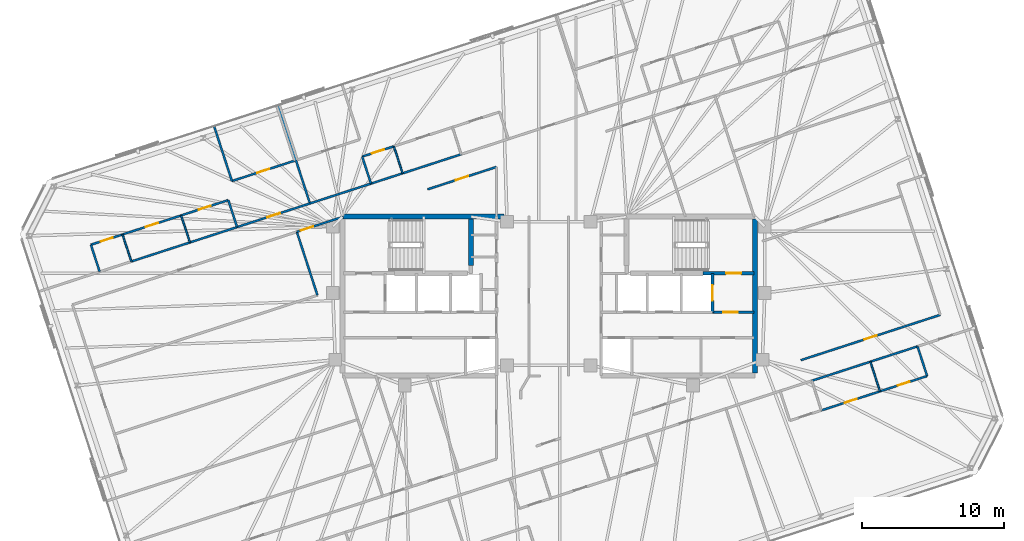
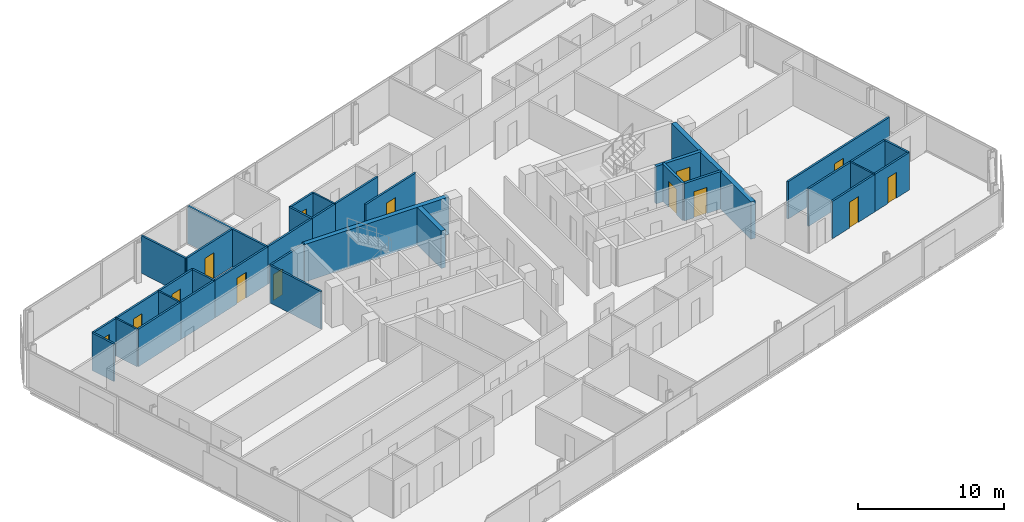
# One storey, part 16 of 20: 35 walls, 14 doors, 14 openings.
"""IFC4 building model written with IfcOpenShell, lengths in metres."""

from ifc_helpers import new_model, si_unit, direction, frame, frame_2d, origin, place, context, subcontext, project, spatial, rectangle, extrude, material, layer, layer_set, type_object, element, fill, save


model = new_model("IFC4")

# Units and contexts
model_context = context("Model", 3, precision=1e-05, world=origin(), true_north=direction((0.0, 1.0)))
body_context = subcontext(model_context, "Body", "Model", "MODEL_VIEW")
ifc_project = project(units=[si_unit("LENGTHUNIT", "METRE"), si_unit("AREAUNIT", "SQUARE_METRE"), si_unit("VOLUMEUNIT", "CUBIC_METRE"), si_unit("PLANEANGLEUNIT", "RADIAN"), si_unit("MASSUNIT", "GRAM", prefix="KILO")], contexts=[model_context])

# Site, building, storey
site_placement = place(None, origin())
site = spatial("IfcSite", under=ifc_project, at=site_placement, CompositionType="ELEMENT")
building_placement = place(site_placement, origin())
building = spatial("IfcBuilding", under=site, at=building_placement, Name="Menara Jurai Vektor", CompositionType="ELEMENT")
storey_placement = place(building_placement, frame((0.0, 0.0, 237.699951171875)))
storey = spatial("IfcBuildingStorey", under=building, at=storey_placement, Name="L63", CompositionType="ELEMENT", Elevation=237.699951171875)

# Wall, opening, door
ifc_material_1 = material(Name="Concrete C40/50", Category="concrete")
ifc_layer_1 = layer(ifc_material_1, 0.25)
ifc_layer_set_1 = layer_set([ifc_layer_1], Name="Concrete C40/50")
wall_type_1 = type_object("IfcWallType", Name="INT-WALL-CORE-250", PredefinedType="STANDARD", material=ifc_layer_set_1)
wall_1_placement = place(storey_placement, frame((10.89990234375, 1.60009765625, 0.0), z_axis=(0.0, 0.0, 1.0), x_axis=(1.0, 0.0, 0.0)))
wall_1 = element("IfcWall", 1, at=wall_1_placement, inside=storey, type_object=wall_type_1, Name="Interior Wall IW-250 L63", PredefinedType="STANDARD", context=body_context, shape_type="SweptSolid", body=[
    extrude(rectangle(XDim=3.60009765625, YDim=0.25, at=frame_2d((1.800048828125, 0.0))), origin(), (0.0, 0.0, 1.0), 3.125),
])
opening_1_placement = place(wall_1_placement, frame((1.6201171875, 0.0, 0.0)))
opening_1 = element("IfcOpeningElement", 2, at=opening_1_placement, cuts=wall_1, Name="Opening D-L63-ST2", PredefinedType="OPENING", context=body_context, shape_type="SweptSolid", body=[
    extrude(rectangle(XDim=1.050048828125, YDim=2.14990234375, at=frame_2d((0.52490234375, 1.074951171875))), frame((0.0, 0.135009765625, 0.0), z_axis=(0.0, -1.0, 0.0), x_axis=(1.0, 0.0, 0.0)), (0.0, 0.0, 1.0), 0.27001953125),
])
ifc_material_2 = material(Name="Fire-Rated Steel Door", Category="steel")
door_type_1 = type_object("IfcDoorType", Name="DR-STAIR-1050", OperationType="NOTDEFINED", PredefinedType="DOOR", material=ifc_material_2)
door_1_placement = place(opening_1_placement, origin())
door_1 = element("IfcDoor", 3, at=door_1_placement, inside=storey, type_object=door_type_1, Name="Exit Stair ST2 Door L63", OperationType="SINGLE_SWING_LEFT", OverallHeight=2.14990234375, OverallWidth=1.050048828125, PredefinedType="DOOR", context=body_context, shape_type="SweptSolid", body=[
    extrude(rectangle(XDim=1.050048828125, YDim=2.14990234375, at=frame_2d((0.52490234375, 1.074951171875))), frame((0.0, 0.02490234375, 0.0), z_axis=(0.0, -1.0, 0.0), x_axis=(1.0, 0.0, 0.0)), (0.0, 0.0, 1.0), 0.050048828125),
])
fill(opening_1, door_1)

wall_2_placement = place(storey_placement, frame((11.550048828125, -1.14990234375, 0.0), z_axis=(0.0, 0.0, 1.0), x_axis=(0.0, 1.0, 0.0)))
wall_2 = element("IfcWall", 4, at=wall_2_placement, inside=storey, type_object=wall_type_1, Name="Interior Wall IW-250 L63", PredefinedType="STANDARD", context=body_context, shape_type="SweptSolid", body=[
    extrude(rectangle(XDim=2.75, YDim=0.199951171875, at=frame_2d((1.375, 0.0))), origin(), (0.0, 0.0, 1.0), 3.125),
])
opening_2_placement = place(wall_2_placement, frame((0.824951171875, 0.0, 0.0)))
opening_2 = element("IfcOpeningElement", 5, at=opening_2_placement, cuts=wall_2, Name="Opening LD-L63-FL2", PredefinedType="OPENING", context=body_context, shape_type="SweptSolid", body=[
    extrude(rectangle(XDim=1.10009765625, YDim=2.14990234375, at=frame_2d((0.550048828125, 1.074951171875))), frame((0.0, 0.10986328125, 0.0), z_axis=(0.0, -1.0, 0.0), x_axis=(1.0, 0.0, 0.0)), (0.0, 0.0, 1.0), 0.219970703125),
])
ifc_material_3 = material(Name="Stainless Steel Sliding Lift Landing Door", Category="steel")
door_type_2 = type_object("IfcDoorType", Name="DR-LIFT-FIRE-1100", OperationType="NOTDEFINED", PredefinedType="DOOR", material=ifc_material_3)
door_2_placement = place(opening_2_placement, origin())
door_2 = element("IfcDoor", 6, at=door_2_placement, inside=storey, type_object=door_type_2, Name="Lift Landing Door FL2 L63", OperationType="SLIDING_TO_RIGHT", OverallHeight=2.14990234375, OverallWidth=1.10009765625, PredefinedType="DOOR", context=body_context, shape_type="SweptSolid", body=[
    extrude(rectangle(XDim=1.10009765625, YDim=2.14990234375, at=frame_2d((0.550048828125, 1.074951171875))), frame((0.0, 0.02490234375, 0.0), z_axis=(0.0, -1.0, 0.0), x_axis=(1.0, 0.0, 0.0)), (0.0, 0.0, 1.0), 0.050048828125),
])
fill(opening_2, door_2)

wall_3_placement = place(storey_placement, frame((11.550048828125, -1.14990234375, 0.0), z_axis=(0.0, 0.0, 1.0), x_axis=(1.0, 0.0, 0.0)))
wall_3 = element("IfcWall", 7, at=wall_3_placement, inside=storey, type_object=wall_type_1, Name="Interior Wall IW-250 L63", PredefinedType="STANDARD", context=body_context, shape_type="SweptSolid", body=[
    extrude(rectangle(XDim=2.949951171875, YDim=0.199951171875, at=frame_2d((1.47509765625, 0.0))), origin(), (0.0, 0.0, 1.0), 3.125),
])
opening_3_placement = place(wall_3_placement, frame((0.75, 0.0, 0.0)))
opening_3 = element("IfcOpeningElement", 8, at=opening_3_placement, cuts=wall_3, Name="Opening D-L63-FFE", PredefinedType="OPENING", context=body_context, shape_type="SweptSolid", body=[
    extrude(rectangle(XDim=1.050048828125, YDim=2.179931640625, at=frame_2d((0.52490234375, 1.08984375))), frame((0.0, 0.10986328125, 0.0), z_axis=(0.0, -1.0, 0.0), x_axis=(1.0, 0.0, 0.0)), (0.0, 0.0, 1.0), 0.219970703125),
])
ifc_material_4 = material(Name="Fire-Rated Timber Door", Category="wood")
door_type_3 = type_object("IfcDoorType", Name="DR-LOBBY-1050", OperationType="NOTDEFINED", PredefinedType="DOOR", material=ifc_material_4)
door_3_placement = place(opening_3_placement, origin())
door_3 = element("IfcDoor", 9, at=door_3_placement, inside=storey, type_object=door_type_3, Name="Fire Lift Lobby Door E L63", OperationType="SINGLE_SWING_LEFT", OverallHeight=2.179931640625, OverallWidth=1.050048828125, PredefinedType="DOOR", context=body_context, shape_type="SweptSolid", body=[
    extrude(rectangle(XDim=1.050048828125, YDim=2.179931640625, at=frame_2d((0.52490234375, 1.08984375))), frame((0.0, 0.02490234375, 0.0), z_axis=(0.0, -1.0, 0.0), x_axis=(1.0, 0.0, 0.0)), (0.0, 0.0, 1.0), 0.050048828125),
])
fill(opening_3, door_3)

ifc_material_5 = material(Name="Gypsum Fireboard Partition", Category="gypsum")
ifc_layer_2 = layer(ifc_material_5, 0.14990234375)
ifc_layer_set_2 = layer_set([ifc_layer_2], Name="Gypsum Fireboard Partition")
wall_type_2 = type_object("IfcWallType", Name="INT-WALL-CORR-150", PredefinedType="PARTITIONING", material=ifc_layer_set_2)
wall_4_placement = place(storey_placement, frame((-22.009765625, 4.86376953125, 0.0), z_axis=(0.0, 0.0, 1.0), x_axis=(0.951061595649, 0.309001361293, 0.0)))
wall_4 = element("IfcWall", 10, at=wall_4_placement, inside=storey, type_object=wall_type_2, Name="Interior Wall IW-150 L63", PredefinedType="PARTITIONING", context=body_context, shape_type="SweptSolid", body=[
    extrude(rectangle(XDim=5.408935546875, YDim=0.14990234375, at=frame_2d((2.70458984375, 0.0))), origin(), (0.0, 0.0, 1.0), 3.125),
])
opening_4_placement = place(wall_4_placement, frame((2.2294921875, 0.0, 0.0)))
opening_4 = element("IfcOpeningElement", 11, at=opening_4_placement, cuts=wall_4, Name="Opening D63-10", PredefinedType="OPENING", context=body_context, shape_type="SweptSolid", body=[
    extrude(rectangle(XDim=0.949951171875, YDim=2.14990234375, at=frame_2d((0.47509765625, 1.074951171875))), frame((0.0, 0.0849609375, 0.0), z_axis=(0.0, -1.0, 0.0), x_axis=(1.0, 0.0, 0.0)), (0.0, 0.0, 1.0), 0.169921875),
])
ifc_material_6 = material(Name="Solid Core Timber Fire Door", Category="wood")
door_type_4 = type_object("IfcDoorType", Name="DR-ENTRY-950", OperationType="NOTDEFINED", PredefinedType="DOOR", material=ifc_material_6)
door_4_placement = place(opening_4_placement, origin())
door_4 = element("IfcDoor", 12, at=door_4_placement, inside=storey, type_object=door_type_4, Name="Interior Door D63-10", OperationType="SINGLE_SWING_RIGHT", OverallHeight=2.14990234375, OverallWidth=0.949951171875, PredefinedType="DOOR", context=body_context, shape_type="SweptSolid", body=[
    extrude(rectangle(XDim=0.949951171875, YDim=2.14990234375, at=frame_2d((0.47509765625, 1.074951171875))), frame((0.0, 0.02490234375, 0.0), z_axis=(0.0, -1.0, 0.0), x_axis=(1.0, 0.0, 0.0)), (0.0, 0.0, 1.0), 0.050048828125),
])
fill(opening_4, door_4)

# Walls
wall_5_placement = place(storey_placement, frame((-29.4755859375, 2.43798828125, 0.0), z_axis=(0.0, 0.0, 1.0), x_axis=(0.951057987102, 0.309012467661, 0.0)))
element("IfcWall", 13, at=wall_5_placement, inside=storey, type_object=wall_type_2, Name="Interior Wall IW-150 L63", PredefinedType="PARTITIONING", context=body_context, shape_type="SweptSolid", body=[
    extrude(rectangle(XDim=4.35009765625, YDim=0.14990234375, at=frame_2d((2.175048828125, 0.0))), origin(), (0.0, 0.0, 1.0), 3.125),
])
wall_6_placement = place(storey_placement, frame((-25.33837890625, 3.7822265625, 0.0), z_axis=(0.0, 0.0, 1.0), x_axis=(0.951055596592, 0.309019824916, 0.0)))
element("IfcWall", 14, at=wall_6_placement, inside=storey, type_object=wall_type_2, Name="Interior Wall IW-150 L63", PredefinedType="PARTITIONING", context=body_context, shape_type="SweptSolid", body=[
    extrude(rectangle(XDim=3.5, YDim=0.14990234375, at=frame_2d((1.75, 0.0))), origin(), (0.0, 0.0, 1.0), 3.125),
])
wall_7_placement = place(storey_placement, frame((-16.865478515625, 6.53515625, 0.0), z_axis=(0.0, 0.0, 1.0), x_axis=(0.951049118272, 0.309039762222, 0.0)))
element("IfcWall", 15, at=wall_7_placement, inside=storey, type_object=wall_type_2, Name="Interior Wall IW-150 L63", PredefinedType="PARTITIONING", context=body_context, shape_type="SweptSolid", body=[
    extrude(rectangle(XDim=4.52978515625, YDim=0.14990234375, at=frame_2d((2.264892578125, 0.0))), origin(), (0.0, 0.0, 1.0), 3.125),
])
wall_8_placement = place(storey_placement, frame((-12.557373046875, 7.93505859375, 0.0), z_axis=(0.0, 0.0, 1.0), x_axis=(0.951045519245, 0.309050837767, 0.0)))
element("IfcWall", 16, at=wall_8_placement, inside=storey, type_object=wall_type_2, Name="Interior Wall IW-150 L63", PredefinedType="PARTITIONING", context=body_context, shape_type="SweptSolid", body=[
    extrude(rectangle(XDim=2.35009765625, YDim=0.14990234375, at=frame_2d((1.175048828125, 0.0))), origin(), (0.0, 0.0, 1.0), 3.125),
])
for number, where, z_axis, x_axis, name in (
    (17, (-10.322265625, 8.661376953125, 0.0), (0.0, 0.0, 1.0), (0.951052627573, 0.309028962374, 0.0), "Interior Wall IW-150 L63"),
    (18, (18.56396484375, -5.983154296875, 0.0), (0.0, 0.0, 1.0), (0.951052627573, 0.309028962374, 0.0), "Interior Wall IW-150 L63"),
):
    element("IfcWall", number, at=place(storey_placement, frame(where, z_axis=z_axis, x_axis=x_axis)), inside=storey, type_object=wall_type_2, Name=name, PredefinedType="PARTITIONING", context=body_context, shape_type="SweptSolid", body=[
        extrude(rectangle(XDim=4.349853515625, YDim=0.14990234375, at=frame_2d((2.1748046875, 0.0))), origin(), (0.0, 0.0, 1.0), 3.125),
    ])
wall_9_placement = place(storey_placement, frame((22.700927734375, -4.638916015625, 0.0), z_axis=(0.0, 0.0, 1.0), x_axis=(0.951062257173, 0.308999325213, 0.0)))
element("IfcWall", 19, at=wall_9_placement, inside=storey, type_object=wall_type_2, Name="Interior Wall IW-150 L63", PredefinedType="PARTITIONING", context=body_context, shape_type="SweptSolid", body=[
    extrude(rectangle(XDim=3.500244140625, YDim=0.14990234375, at=frame_2d((1.75, 0.0))), origin(), (0.0, 0.0, 1.0), 3.125),
])

# Wall, opening, door
wall_10_placement = place(storey_placement, frame((-17.79150390625, 4.531005859375, 0.0), z_axis=(0.0, 0.0, 1.0), x_axis=(0.951047546178, 0.309044600193, 0.0)))
wall_10 = element("IfcWall", 20, at=wall_10_placement, inside=storey, type_object=wall_type_2, Name="Interior Wall IW-150 L63", PredefinedType="PARTITIONING", context=body_context, shape_type="SweptSolid", body=[
    extrude(rectangle(XDim=3.4609375, YDim=0.14990234375, at=frame_2d((1.73046875, 0.0))), origin(), (0.0, 0.0, 1.0), 3.125),
])
opening_5_placement = place(wall_10_placement, frame((0.301513671875, 0.0, 0.0)))
opening_5 = element("IfcOpeningElement", 21, at=opening_5_placement, cuts=wall_10, Name="Opening D63-51", PredefinedType="OPENING", context=body_context, shape_type="SweptSolid", body=[
    extrude(rectangle(XDim=0.919921875, YDim=2.14990234375, at=frame_2d((0.4599609375, 1.074951171875))), frame((0.0, 0.0849609375, 0.0), z_axis=(0.0, -1.0, 0.0), x_axis=(1.0, 0.0, 0.0)), (0.0, 0.0, 1.0), 0.169921875),
])
door_5_placement = place(opening_5_placement, origin())
door_5 = element("IfcDoor", 22, at=door_5_placement, inside=storey, type_object=door_type_4, Name="Interior Door D63-51", OperationType="SINGLE_SWING_LEFT", OverallHeight=2.14990234375, OverallWidth=0.919921875, PredefinedType="DOOR", context=body_context, shape_type="SweptSolid", body=[
    extrude(rectangle(XDim=0.919921875, YDim=2.14990234375, at=frame_2d((0.4599609375, 1.074951171875))), frame((0.0, 0.02490234375, 0.0), z_axis=(0.0, -1.0, 0.0), x_axis=(1.0, 0.0, 0.0)), (0.0, 0.0, 1.0), 0.050048828125),
])
fill(opening_5, door_5)

wall_11_placement = place(storey_placement, frame((-8.5595703125, 7.530517578125, 0.0), z_axis=(0.0, 0.0, 1.0), x_axis=(0.951054430751, 0.309023412946, 0.0)))
wall_11 = element("IfcWall", 23, at=wall_11_placement, inside=storey, type_object=wall_type_2, Name="Interior Wall IW-150 L63", PredefinedType="PARTITIONING", context=body_context, shape_type="SweptSolid", body=[
    extrude(rectangle(XDim=5.10986328125, YDim=0.14990234375, at=frame_2d((2.554931640625, 0.0))), origin(), (0.0, 0.0, 1.0), 3.125),
])
opening_6_placement = place(wall_11_placement, frame((2.094970703125, 0.0, 0.0)))
opening_6 = element("IfcOpeningElement", 24, at=opening_6_placement, cuts=wall_11, Name="Opening D63-52", PredefinedType="OPENING", context=body_context, shape_type="SweptSolid", body=[
    extrude(rectangle(XDim=0.919921875, YDim=2.14990234375, at=frame_2d((0.4599609375, 1.074951171875))), frame((0.0, 0.0849609375, 0.0), z_axis=(0.0, -1.0, 0.0), x_axis=(1.0, 0.0, 0.0)), (0.0, 0.0, 1.0), 0.169921875),
])
door_6_placement = place(opening_6_placement, origin())
door_6 = element("IfcDoor", 25, at=door_6_placement, inside=storey, type_object=door_type_4, Name="Interior Door D63-52", OperationType="SINGLE_SWING_RIGHT", OverallHeight=2.14990234375, OverallWidth=0.919921875, PredefinedType="DOOR", context=body_context, shape_type="SweptSolid", body=[
    extrude(rectangle(XDim=0.919921875, YDim=2.14990234375, at=frame_2d((0.4599609375, 1.074951171875))), frame((0.0, 0.02490234375, 0.0), z_axis=(0.0, -1.0, 0.0), x_axis=(1.0, 0.0, 0.0)), (0.0, 0.0, 1.0), 0.050048828125),
])
fill(opening_6, door_6)

wall_12_placement = place(storey_placement, frame((17.791259765625, -4.53076171875, 0.0), z_axis=(0.0, 0.0, 1.0), x_axis=(0.951056769902, 0.309016213852, 0.0)))
wall_12 = element("IfcWall", 26, at=wall_12_placement, inside=storey, type_object=wall_type_2, Name="Interior Wall IW-150 L63", PredefinedType="PARTITIONING", context=body_context, shape_type="SweptSolid", body=[
    extrude(rectangle(XDim=10.35205078125, YDim=0.14990234375, at=frame_2d((5.176025390625, 0.0))), origin(), (0.0, 0.0, 1.0), 3.125),
])
opening_7_placement = place(wall_12_placement, frame((4.716064453125, 0.0, 0.0)))
opening_7 = element("IfcOpeningElement", 27, at=opening_7_placement, cuts=wall_12, Name="Opening D63-53", PredefinedType="OPENING", context=body_context, shape_type="SweptSolid", body=[
    extrude(rectangle(XDim=0.919921875, YDim=2.14990234375, at=frame_2d((0.4599609375, 1.074951171875))), frame((0.0, 0.0849609375, 0.0), z_axis=(0.0, -1.0, 0.0), x_axis=(1.0, 0.0, 0.0)), (0.0, 0.0, 1.0), 0.169921875),
])
door_7_placement = place(opening_7_placement, origin())
door_7 = element("IfcDoor", 28, at=door_7_placement, inside=storey, type_object=door_type_4, Name="Interior Door D63-53", OperationType="SINGLE_SWING_LEFT", OverallHeight=2.14990234375, OverallWidth=0.919921875, PredefinedType="DOOR", context=body_context, shape_type="SweptSolid", body=[
    extrude(rectangle(XDim=0.919921875, YDim=2.14990234375, at=frame_2d((0.4599609375, 1.074951171875))), frame((0.0, 0.02490234375, 0.0), z_axis=(0.0, -1.0, 0.0), x_axis=(1.0, 0.0, 0.0)), (0.0, 0.0, 1.0), 0.050048828125),
])
fill(opening_7, door_7)

# Wall
wall_13_placement = place(storey_placement, frame((-31.710693359375, 1.7119140625, 0.0), z_axis=(0.0, 0.0, 1.0), x_axis=(-0.308948390121, 0.951078804433, 0.0)))
element("IfcWall", 29, at=wall_13_placement, inside=storey, type_object=wall_type_2, Name="Interior Wall IW-150 L63", PredefinedType="PARTITIONING", context=body_context, shape_type="SweptSolid", body=[
    extrude(rectangle(XDim=2.0048828125, YDim=0.14990234375, at=frame_2d((1.00244140625, 0.0))), origin(), (0.0, 0.0, 1.0), 3.125),
])

# Wall, opening, door
wall_14_placement = place(storey_placement, frame((-32.330078125, 3.61865234375, 0.0), z_axis=(0.0, 0.0, 1.0), x_axis=(0.951066131077, 0.308987401554, 0.0)))
wall_14 = element("IfcWall", 30, at=wall_14_placement, inside=storey, type_object=wall_type_2, Name="Interior Wall IW-150 L63", PredefinedType="PARTITIONING", context=body_context, shape_type="SweptSolid", body=[
    extrude(rectangle(XDim=2.349853515625, YDim=0.14990234375, at=frame_2d((1.1748046875, 0.0))), origin(), (0.0, 0.0, 1.0), 3.125),
])
opening_8_placement = place(wall_14_placement, frame((0.735107421875, 0.0, 0.0)))
opening_8 = element("IfcOpeningElement", 31, at=opening_8_placement, cuts=wall_14, Name="Opening D63-11", PredefinedType="OPENING", context=body_context, shape_type="SweptSolid", body=[
    extrude(rectangle(XDim=0.8798828125, YDim=2.14990234375, at=frame_2d((0.43994140625, 1.074951171875))), frame((0.0, 0.0849609375, 0.0), z_axis=(0.0, -1.0, 0.0), x_axis=(1.0, 0.0, 0.0)), (0.0, 0.0, 1.0), 0.169921875),
])
ifc_material_7 = material(Name="Moisture-Resistant Timber Door", Category="wood")
door_type_5 = type_object("IfcDoorType", Name="DR-BATH-880", OperationType="NOTDEFINED", PredefinedType="DOOR", material=ifc_material_7)
door_8_placement = place(opening_8_placement, origin())
door_8 = element("IfcDoor", 32, at=door_8_placement, inside=storey, type_object=door_type_5, Name="Interior Door D63-11", OperationType="SINGLE_SWING_LEFT", OverallHeight=2.14990234375, OverallWidth=0.8798828125, PredefinedType="DOOR", context=body_context, shape_type="SweptSolid", body=[
    extrude(rectangle(XDim=0.8798828125, YDim=2.14990234375, at=frame_2d((0.43994140625, 1.074951171875))), frame((0.0, 0.02490234375, 0.0), z_axis=(0.0, -1.0, 0.0), x_axis=(1.0, 0.0, 0.0)), (0.0, 0.0, 1.0), 0.050048828125),
])
fill(opening_8, door_8)

wall_15_placement = place(storey_placement, frame((-30.09521484375, 4.3447265625, 0.0), z_axis=(0.0, 0.0, 1.0), x_axis=(0.951041492154, 0.309063230101, 0.0)))
wall_15 = element("IfcWall", 33, at=wall_15_placement, inside=storey, type_object=wall_type_2, Name="Interior Wall IW-150 L63", PredefinedType="PARTITIONING", context=body_context, shape_type="SweptSolid", body=[
    extrude(rectangle(XDim=4.35009765625, YDim=0.14990234375, at=frame_2d((2.175048828125, 0.0))), origin(), (0.0, 0.0, 1.0), 3.125),
])
opening_9_placement = place(wall_15_placement, frame((1.72509765625, 0.0, 0.0)))
opening_9 = element("IfcOpeningElement", 34, at=opening_9_placement, cuts=wall_15, Name="Opening D63-12", PredefinedType="OPENING", context=body_context, shape_type="SweptSolid", body=[
    extrude(rectangle(XDim=0.89990234375, YDim=2.14990234375, at=frame_2d((0.449951171875, 1.074951171875))), frame((0.0, 0.0849609375, 0.0), z_axis=(0.0, -1.0, 0.0), x_axis=(1.0, 0.0, 0.0)), (0.0, 0.0, 1.0), 0.169921875),
])
ifc_material_8 = material(Name="Acoustic Timber Interior Door", Category="wood")
door_type_6 = type_object("IfcDoorType", Name="DR-ROOM-900", OperationType="NOTDEFINED", PredefinedType="DOOR", material=ifc_material_8)
door_9_placement = place(opening_9_placement, origin())
door_9 = element("IfcDoor", 35, at=door_9_placement, inside=storey, type_object=door_type_6, Name="Interior Door D63-12", OperationType="SINGLE_SWING_RIGHT", OverallHeight=2.14990234375, OverallWidth=0.89990234375, PredefinedType="DOOR", context=body_context, shape_type="SweptSolid", body=[
    extrude(rectangle(XDim=0.89990234375, YDim=2.14990234375, at=frame_2d((0.449951171875, 1.074951171875))), frame((0.0, 0.02490234375, 0.0), z_axis=(0.0, -1.0, 0.0), x_axis=(1.0, 0.0, 0.0)), (0.0, 0.0, 1.0), 0.050048828125),
])
fill(opening_9, door_9)

wall_16_placement = place(storey_placement, frame((-25.9580078125, 5.689208984375, 0.0), z_axis=(0.0, 0.0, 1.0), x_axis=(0.951076095932, 0.308956727951, 0.0)))
wall_16 = element("IfcWall", 36, at=wall_16_placement, inside=storey, type_object=wall_type_2, Name="Interior Wall IW-150 L63", PredefinedType="PARTITIONING", context=body_context, shape_type="SweptSolid", body=[
    extrude(rectangle(XDim=3.499755859375, YDim=0.14990234375, at=frame_2d((1.75, 0.0))), origin(), (0.0, 0.0, 1.0), 3.125),
])
opening_10_placement = place(wall_16_placement, frame((1.31005859375, 0.0, 0.0)))
opening_10 = element("IfcOpeningElement", 37, at=opening_10_placement, cuts=wall_16, Name="Opening D63-13", PredefinedType="OPENING", context=body_context, shape_type="SweptSolid", body=[
    extrude(rectangle(XDim=0.8798828125, YDim=2.14990234375, at=frame_2d((0.43994140625, 1.074951171875))), frame((0.0, 0.0849609375, 0.0), z_axis=(0.0, -1.0, 0.0), x_axis=(1.0, 0.0, 0.0)), (0.0, 0.0, 1.0), 0.169921875),
])
door_10_placement = place(opening_10_placement, origin())
door_10 = element("IfcDoor", 38, at=door_10_placement, inside=storey, type_object=door_type_5, Name="Interior Door D63-13", OperationType="SINGLE_SWING_LEFT", OverallHeight=2.14990234375, OverallWidth=0.8798828125, PredefinedType="DOOR", context=body_context, shape_type="SweptSolid", body=[
    extrude(rectangle(XDim=0.8798828125, YDim=2.14990234375, at=frame_2d((0.43994140625, 1.074951171875))), frame((0.0, 0.02490234375, 0.0), z_axis=(0.0, -1.0, 0.0), x_axis=(1.0, 0.0, 0.0)), (0.0, 0.0, 1.0), 0.050048828125),
])
fill(opening_10, door_10)

# Walls
wall_17_placement = place(storey_placement, frame((-22.009765625, 4.86376953125, 0.0), z_axis=(0.0, 0.0, 1.0), x_axis=(-0.309058537449, 0.951043017129, 0.0)))
element("IfcWall", 39, at=wall_17_placement, inside=storey, type_object=wall_type_2, Name="Interior Wall IW-150 L63", PredefinedType="PARTITIONING", context=body_context, shape_type="SweptSolid", body=[
    extrude(rectangle(XDim=2.0048828125, YDim=0.14990234375, at=frame_2d((1.00244140625, 0.0))), origin(), (0.0, 0.0, 1.0), 3.125),
])
wall_18_placement = place(storey_placement, frame((-22.37353515625, 8.115478515625, 0.0), z_axis=(0.0, 0.0, 1.0), x_axis=(-0.308964264858, 0.951073647538, 0.0)))
element("IfcWall", 40, at=wall_18_placement, inside=storey, type_object=wall_type_2, Name="Interior Wall IW-150 L63", PredefinedType="PARTITIONING", context=body_context, shape_type="SweptSolid", body=[
    extrude(rectangle(XDim=4.078857421875, YDim=0.14990234375, at=frame_2d((2.03955078125, 0.0))), origin(), (0.0, 0.0, 1.0), 3.125),
])

# Wall, opening, door
wall_19_placement = place(storey_placement, frame((-22.37353515625, 8.115478515625, 0.0), z_axis=(0.0, 0.0, 1.0), x_axis=(0.951055286502, 0.309020779263, 0.0)))
wall_19 = element("IfcWall", 41, at=wall_19_placement, inside=storey, type_object=wall_type_2, Name="Interior Wall IW-150 L63", PredefinedType="PARTITIONING", context=body_context, shape_type="SweptSolid", body=[
    extrude(rectangle(XDim=4.650146484375, YDim=0.14990234375, at=frame_2d((2.3251953125, 0.0))), origin(), (0.0, 0.0, 1.0), 3.125),
])
opening_11_placement = place(wall_19_placement, frame((1.875, 0.0, 0.0)))
opening_11 = element("IfcOpeningElement", 42, at=opening_11_placement, cuts=wall_19, Name="Opening D63-14", PredefinedType="OPENING", context=body_context, shape_type="SweptSolid", body=[
    extrude(rectangle(XDim=0.89990234375, YDim=2.14990234375, at=frame_2d((0.449951171875, 1.074951171875))), frame((0.0, 0.0849609375, 0.0), z_axis=(0.0, -1.0, 0.0), x_axis=(1.0, 0.0, 0.0)), (0.0, 0.0, 1.0), 0.169921875),
])
door_11_placement = place(opening_11_placement, origin())
door_11 = element("IfcDoor", 43, at=door_11_placement, inside=storey, type_object=door_type_6, Name="Interior Door D63-14", OperationType="SINGLE_SWING_RIGHT", OverallHeight=2.14990234375, OverallWidth=0.89990234375, PredefinedType="DOOR", context=body_context, shape_type="SweptSolid", body=[
    extrude(rectangle(XDim=0.89990234375, YDim=2.14990234375, at=frame_2d((0.449951171875, 1.074951171875))), frame((0.0, 0.02490234375, 0.0), z_axis=(0.0, -1.0, 0.0), x_axis=(1.0, 0.0, 0.0)), (0.0, 0.0, 1.0), 0.050048828125),
])
fill(opening_11, door_11)

# Walls
wall_20_placement = place(storey_placement, frame((-16.865478515625, 6.53515625, 0.0), z_axis=(0.0, 0.0, 1.0), x_axis=(-0.309029230739, 0.951052540372, 0.0)))
element("IfcWall", 44, at=wall_20_placement, inside=storey, type_object=wall_type_2, Name="Interior Wall IW-150 L63", PredefinedType="PARTITIONING", context=body_context, shape_type="SweptSolid", body=[
    extrude(rectangle(XDim=7.283935546875, YDim=0.14990234375, at=frame_2d((3.64208984375, 0.0))), origin(), (0.0, 0.0, 1.0), 3.125),
])
wall_21_placement = place(storey_placement, frame((-12.557373046875, 7.93505859375, 0.0), z_axis=(0.0, 0.0, 1.0), x_axis=(-0.308912611775, 0.951090425925, 0.0)))
element("IfcWall", 45, at=wall_21_placement, inside=storey, type_object=wall_type_2, Name="Interior Wall IW-150 L63", PredefinedType="PARTITIONING", context=body_context, shape_type="SweptSolid", body=[
    extrude(rectangle(XDim=2.005126953125, YDim=0.14990234375, at=frame_2d((1.00244140625, 0.0))), origin(), (0.0, 0.0, 1.0), 3.125),
])

# Wall, opening, door
wall_22_placement = place(storey_placement, frame((-13.1767578125, 9.842041015625, 0.0), z_axis=(0.0, 0.0, 1.0), x_axis=(0.951066131077, 0.308987401554, 0.0)))
wall_22 = element("IfcWall", 46, at=wall_22_placement, inside=storey, type_object=wall_type_2, Name="Interior Wall IW-150 L63", PredefinedType="PARTITIONING", context=body_context, shape_type="SweptSolid", body=[
    extrude(rectangle(XDim=2.349853515625, YDim=0.14990234375, at=frame_2d((1.1748046875, 0.0))), origin(), (0.0, 0.0, 1.0), 3.125),
])
opening_12_placement = place(wall_22_placement, frame((0.73486328125, 0.0, 0.0)))
opening_12 = element("IfcOpeningElement", 47, at=opening_12_placement, cuts=wall_22, Name="Opening D63-16", PredefinedType="OPENING", context=body_context, shape_type="SweptSolid", body=[
    extrude(rectangle(XDim=0.8798828125, YDim=2.14990234375, at=frame_2d((0.43994140625, 1.074951171875))), frame((0.0, 0.0849609375, 0.0), z_axis=(0.0, -1.0, 0.0), x_axis=(1.0, 0.0, 0.0)), (0.0, 0.0, 1.0), 0.169921875),
])
door_12_placement = place(opening_12_placement, origin())
door_12 = element("IfcDoor", 48, at=door_12_placement, inside=storey, type_object=door_type_5, Name="Interior Door D63-16", OperationType="SINGLE_SWING_RIGHT", OverallHeight=2.14990234375, OverallWidth=0.8798828125, PredefinedType="DOOR", context=body_context, shape_type="SweptSolid", body=[
    extrude(rectangle(XDim=0.8798828125, YDim=2.14990234375, at=frame_2d((0.43994140625, 1.074951171875))), frame((0.0, 0.02490234375, 0.0), z_axis=(0.0, -1.0, 0.0), x_axis=(1.0, 0.0, 0.0)), (0.0, 0.0, 1.0), 0.050048828125),
])
fill(opening_12, door_12)

wall_23_placement = place(storey_placement, frame((19.24365234375, -8.075439453125, 0.0), z_axis=(0.0, 0.0, 1.0), x_axis=(0.951057987102, 0.309012467661, 0.0)))
wall_23 = element("IfcWall", 49, at=wall_23_placement, inside=storey, type_object=wall_type_2, Name="Interior Wall IW-150 L63", PredefinedType="PARTITIONING", context=body_context, shape_type="SweptSolid", body=[
    extrude(rectangle(XDim=4.35009765625, YDim=0.14990234375, at=frame_2d((2.175048828125, 0.0))), origin(), (0.0, 0.0, 1.0), 3.125),
])
opening_13_placement = place(wall_23_placement, frame((1.72509765625, 0.0, 0.0)))
opening_13 = element("IfcOpeningElement", 50, at=opening_13_placement, cuts=wall_23, Name="Opening D63-37", PredefinedType="OPENING", context=body_context, shape_type="SweptSolid", body=[
    extrude(rectangle(XDim=0.89990234375, YDim=2.14990234375, at=frame_2d((0.449951171875, 1.074951171875))), frame((0.0, 0.0849609375, 0.0), z_axis=(0.0, -1.0, 0.0), x_axis=(1.0, 0.0, 0.0)), (0.0, 0.0, 1.0), 0.169921875),
])
door_13_placement = place(opening_13_placement, origin())
door_13 = element("IfcDoor", 51, at=door_13_placement, inside=storey, type_object=door_type_6, Name="Interior Door D63-37", OperationType="SINGLE_SWING_LEFT", OverallHeight=2.14990234375, OverallWidth=0.89990234375, PredefinedType="DOOR", context=body_context, shape_type="SweptSolid", body=[
    extrude(rectangle(XDim=0.89990234375, YDim=2.14990234375, at=frame_2d((0.449951171875, 1.074951171875))), frame((0.0, 0.02490234375, 0.0), z_axis=(0.0, -1.0, 0.0), x_axis=(1.0, 0.0, 0.0)), (0.0, 0.0, 1.0), 0.050048828125),
])
fill(opening_13, door_13)

wall_24_placement = place(storey_placement, frame((23.380859375, -6.731201171875, 0.0), z_axis=(0.0, 0.0, 1.0), x_axis=(0.951055596592, 0.309019824916, 0.0)))
wall_24 = element("IfcWall", 52, at=wall_24_placement, inside=storey, type_object=wall_type_2, Name="Interior Wall IW-150 L63", PredefinedType="PARTITIONING", context=body_context, shape_type="SweptSolid", body=[
    extrude(rectangle(XDim=3.5, YDim=0.14990234375, at=frame_2d((1.75, 0.0))), origin(), (0.0, 0.0, 1.0), 3.125),
])
opening_14_placement = place(wall_24_placement, frame((1.31005859375, 0.0, 0.0)))
opening_14 = element("IfcOpeningElement", 53, at=opening_14_placement, cuts=wall_24, Name="Opening D63-38", PredefinedType="OPENING", context=body_context, shape_type="SweptSolid", body=[
    extrude(rectangle(XDim=0.8798828125, YDim=2.14990234375, at=frame_2d((0.43994140625, 1.074951171875))), frame((0.0, 0.0849609375, 0.0), z_axis=(0.0, -1.0, 0.0), x_axis=(1.0, 0.0, 0.0)), (0.0, 0.0, 1.0), 0.169921875),
])
door_14_placement = place(opening_14_placement, origin())
door_14 = element("IfcDoor", 54, at=door_14_placement, inside=storey, type_object=door_type_5, Name="Interior Door D63-38", OperationType="SINGLE_SWING_RIGHT", OverallHeight=2.14990234375, OverallWidth=0.8798828125, PredefinedType="DOOR", context=body_context, shape_type="SweptSolid", body=[
    extrude(rectangle(XDim=0.8798828125, YDim=2.14990234375, at=frame_2d((0.43994140625, 1.074951171875))), frame((0.0, 0.02490234375, 0.0), z_axis=(0.0, -1.0, 0.0), x_axis=(1.0, 0.0, 0.0)), (0.0, 0.0, 1.0), 0.050048828125),
])
fill(opening_14, door_14)

# Walls
wall_25_placement = place(storey_placement, frame((26.70947265625, -5.649658203125, 0.0), z_axis=(0.0, 0.0, 1.0), x_axis=(-0.308960600764, 0.951074837842, 0.0)))
element("IfcWall", 55, at=wall_25_placement, inside=storey, type_object=wall_type_2, Name="Interior Wall IW-150 L63", PredefinedType="PARTITIONING", context=body_context, shape_type="SweptSolid", body=[
    extrude(rectangle(XDim=2.199951171875, YDim=0.14990234375, at=frame_2d((1.10009765625, 0.0))), origin(), (0.0, 0.0, 1.0), 3.125),
])
wall_26_placement = place(storey_placement, frame((-16.3369140625, 0.054443359375, 0.0), z_axis=(0.0, 0.0, 1.0), x_axis=(-0.309029776355, 0.951052363083, 0.0)))
element("IfcWall", 56, at=wall_26_placement, inside=storey, type_object=wall_type_2, Name="Interior Wall IW-150 L63", PredefinedType="PARTITIONING", context=body_context, shape_type="SweptSolid", body=[
    extrude(rectangle(XDim=4.70703125, YDim=0.14990234375, at=frame_2d((2.353515625, 0.0))), origin(), (0.0, 0.0, 1.0), 3.125),
])
ifc_material_9 = material(Name="Gypsum Acoustic Stud Partition", Category="gypsum")
ifc_layer_3 = layer(ifc_material_9, 0.1201171875)
ifc_layer_set_3 = layer_set([ifc_layer_3], Name="Gypsum Acoustic Stud Partition")
wall_type_3 = type_object("IfcWallType", Name="INT-WALL-PART-120", PredefinedType="PARTITIONING", material=ifc_layer_set_3)
wall_27_placement = place(storey_placement, frame((-29.4755859375, 2.43798828125, 0.0), z_axis=(0.0, 0.0, 1.0), x_axis=(-0.309058537449, 0.951043017129, 0.0)))
element("IfcWall", 57, at=wall_27_placement, inside=storey, type_object=wall_type_3, Name="Interior Wall IW-120 L63", PredefinedType="PARTITIONING", context=body_context, shape_type="SweptSolid", body=[
    extrude(rectangle(XDim=2.0048828125, YDim=0.1201171875, at=frame_2d((1.00244140625, 0.0))), origin(), (0.0, 0.0, 1.0), 3.125),
])
wall_28_placement = place(storey_placement, frame((-25.33837890625, 3.7822265625, 0.0), z_axis=(0.0, 0.0, 1.0), x_axis=(-0.309022749039, 0.951054646472, 0.0)))
element("IfcWall", 58, at=wall_28_placement, inside=storey, type_object=wall_type_3, Name="Interior Wall IW-120 L63", PredefinedType="PARTITIONING", context=body_context, shape_type="SweptSolid", body=[
    extrude(rectangle(XDim=2.005126953125, YDim=0.1201171875, at=frame_2d((1.00244140625, 0.0))), origin(), (0.0, 0.0, 1.0), 3.125),
])
wall_29_placement = place(storey_placement, frame((-10.322265625, 8.661376953125, 0.0), z_axis=(0.0, 0.0, 1.0), x_axis=(-0.309058537449, 0.951043017129, 0.0)))
element("IfcWall", 59, at=wall_29_placement, inside=storey, type_object=wall_type_3, Name="Interior Wall IW-120 L63", PredefinedType="PARTITIONING", context=body_context, shape_type="SweptSolid", body=[
    extrude(rectangle(XDim=2.0048828125, YDim=0.1201171875, at=frame_2d((1.00244140625, 0.0))), origin(), (0.0, 0.0, 1.0), 3.125),
])
wall_30_placement = place(storey_placement, frame((23.380859375, -6.731201171875, 0.0), z_axis=(0.0, 0.0, 1.0), x_axis=(-0.309060979314, 0.951042223598, 0.0)))
element("IfcWall", 60, at=wall_30_placement, inside=storey, type_object=wall_type_3, Name="Interior Wall IW-120 L63", PredefinedType="PARTITIONING", context=body_context, shape_type="SweptSolid", body=[
    extrude(rectangle(XDim=2.199951171875, YDim=0.1201171875, at=frame_2d((1.10009765625, 0.0))), origin(), (0.0, 0.0, 1.0), 3.125),
])
ifc_material_10 = material(Name="Concrete C50/60", Category="concrete")
ifc_layer_4 = layer(ifc_material_10, 0.35009765625)
ifc_layer_set_4 = layer_set([ifc_layer_4], Name="Concrete C50/60")
wall_type_4 = type_object("IfcWallType", Name="STR-WALL-CORE350", PredefinedType="SHEAR", material=ifc_layer_set_4)
wall_31_placement = place(storey_placement, frame((-14.56005859375, 5.60009765625, 0.0), z_axis=(0.0, 0.0, 1.0), x_axis=(1.0, 0.0, 0.0)))
element("IfcWall", 61, at=wall_31_placement, inside=storey, type_object=wall_type_4, Name="Core Shear Wall CW-W-N L63", PredefinedType="SHEAR", context=body_context, shape_type="SweptSolid", body=[
    extrude(rectangle(XDim=11.41015625, YDim=0.35009765625, at=frame_2d((5.705078125, 0.0))), origin(), (0.0, 0.0, 1.0), 3.125),
])
wall_32_placement = place(storey_placement, frame((-5.5, 2.14990234375, 0.0), z_axis=(0.0, 0.0, 1.0), x_axis=(0.0, 1.0, 0.0)))
element("IfcWall", 62, at=wall_32_placement, inside=storey, type_object=wall_type_4, Name="Core Shear Wall CW-W-ST L63", PredefinedType="SHEAR", context=body_context, shape_type="SweptSolid", body=[
    extrude(rectangle(XDim=3.275146484375, YDim=0.35009765625, at=frame_2d((1.6376953125, 0.0))), origin(), (0.0, 0.0, 1.0), 3.125),
])
wall_33_placement = place(storey_placement, frame((14.56005859375, -5.425048828125, 0.0), z_axis=(0.0, 0.0, 1.0), x_axis=(0.0, 1.0, 0.0)))
element("IfcWall", 63, at=wall_33_placement, inside=storey, type_object=wall_type_4, Name="Core Shear Wall CW-E-E L63", PredefinedType="SHEAR", context=body_context, shape_type="SweptSolid", body=[
    extrude(rectangle(XDim=10.85009765625, YDim=0.35009765625, at=frame_2d((5.425048828125, 0.0))), origin(), (0.0, 0.0, 1.0), 3.125),
])

save(model, "model.ifc")
